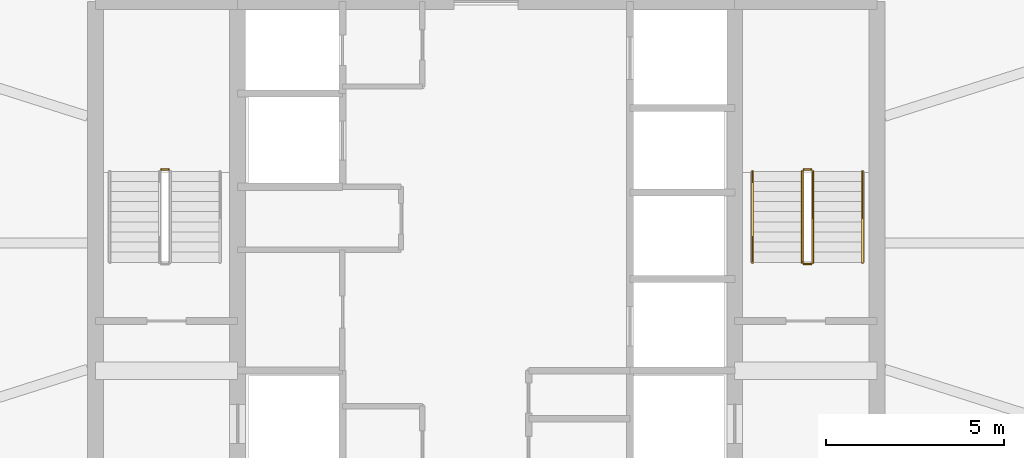
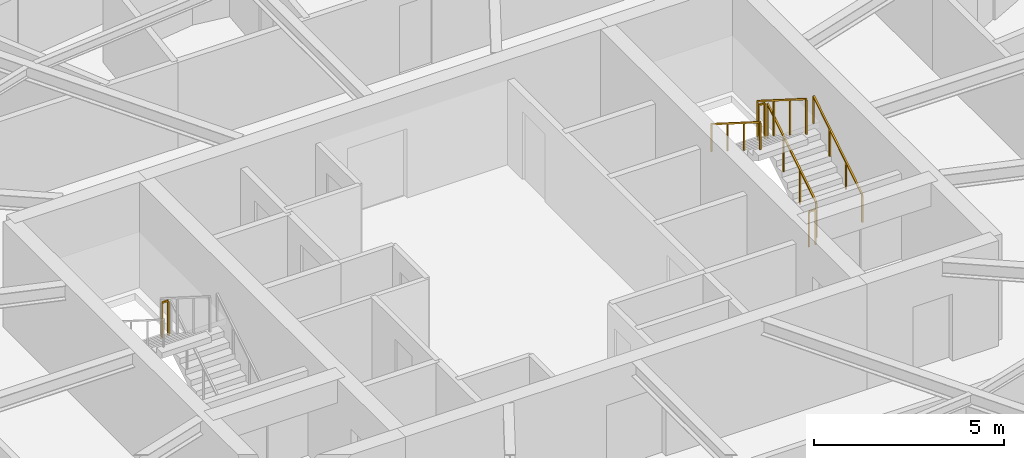
# One storey, part 28 of 28: 7 railings.
"""IFC4 building model written with IfcOpenShell, lengths in metres."""

import ifcopenshell
import ifcopenshell.guid

model = None  # the IFC model being written
_history = None  # IfcOwnerHistory: only IFC2X3 demands one
_inside = {}  # id of a spatial element -> (the spatial element, [elements in it])
_under = {}  # id of a project, library or spatial element -> (it, [spatial elements below it])
_declared = {}  # id of a project -> (the project, [libraries it declares])
_typed = {}  # id of a type object -> (the type object, [elements of that type])
_made_of = {}  # id of a material, layer set ... -> (it, [elements and type objects made of it])


def new_model(schema):
    """Start an empty IFC model of exactly this schema.

    Asked for "IFC4X3", IfcOpenShell would pick the latest addendum, in which some entities
    have other attributes; the version numbers below select the first issue.
    IFC2X3 requires an IfcOwnerHistory on every rooted entity: one is made here for all.
    """
    global model, _history
    if schema == "IFC4X3":
        model = ifcopenshell.file(schema_version=(4, 3, 0, 0))
    else:
        model = ifcopenshell.file(schema=schema)
    _inside.clear()
    _under.clear()
    _declared.clear()
    _typed.clear()
    _made_of.clear()
    _history = None
    if model.schema == "IFC2X3":
        org = make("IfcOrganization", Name="unknown")
        user = make(
            "IfcPersonAndOrganization",
            ThePerson=make("IfcPerson", FamilyName="unknown"),
            TheOrganization=org,
        )
        app = make(
            "IfcApplication",
            ApplicationDeveloper=org,
            Version="unknown",
            ApplicationFullName="unknown",
            ApplicationIdentifier="unknown",
        )
        _history = make(
            "IfcOwnerHistory",
            OwningUser=user,
            OwningApplication=app,
            ChangeAction="ADDED",
            CreationDate=0,
        )
    return model


def make(cls, **values):
    """One entity of the class cls with the attributes given. An attribute that is None is left unset."""
    return model.create_entity(
        cls, **{name: value for name, value in values.items() if value is not None}
    )


def rooted(cls, **values):
    """An entity with a GlobalId (a new one), such as an element, a storey or a relation."""
    return make(cls, GlobalId=ifcopenshell.guid.new(), OwnerHistory=_history, **values)


def si_unit(unit_type, name, prefix=None):
    """IfcSIUnit, for example si_unit("LENGTHUNIT", "METRE", prefix="MILLI")."""
    return make("IfcSIUnit", UnitType=unit_type, Prefix=prefix, Name=name)


def assignment(units):
    """IfcUnitAssignment: the units of a project."""
    return None if units is None else make("IfcUnitAssignment", Units=units)


def point(xyz):
    """IfcCartesianPoint."""
    return None if xyz is None else make("IfcCartesianPoint", Coordinates=xyz)


def direction(xyz):
    """IfcDirection."""
    return None if xyz is None else make("IfcDirection", DirectionRatios=xyz)


def frame(location, z_axis=None, x_axis=None):
    """IfcAxis2Placement3D, a coordinate frame: its origin and axes. An axis left out is left unset."""
    return make(
        "IfcAxis2Placement3D",
        Location=point(location),
        Axis=direction(z_axis),
        RefDirection=direction(x_axis),
    )


def frame_2d(location, x_axis=None):
    """IfcAxis2Placement2D, a coordinate frame in the plane: its origin and x axis."""
    return make(
        "IfcAxis2Placement2D", Location=point(location), RefDirection=direction(x_axis)
    )


def origin():
    """The frame at (0, 0, 0) with its axes left unset."""
    return frame((0.0, 0.0, 0.0))


def origin_2d():
    """The frame at (0, 0) in the plane with its x axis left unset."""
    return frame_2d((0.0, 0.0))


def place(relative_to, where):
    """IfcLocalPlacement: puts the frame where relative to a parent placement (None: the world)."""
    return make(
        "IfcLocalPlacement", PlacementRelTo=relative_to, RelativePlacement=where
    )


def context(
    kind, dimensions, precision=None, world=None, true_north=None, identifier=None
):
    """IfcGeometricRepresentationContext, for example the 3D "Model" context."""
    return make(
        "IfcGeometricRepresentationContext",
        ContextIdentifier=identifier,
        ContextType=kind,
        CoordinateSpaceDimension=dimensions,
        Precision=precision,
        WorldCoordinateSystem=world,
        TrueNorth=true_north,
    )


def subcontext(parent, identifier, kind, view, scale=None):
    """IfcGeometricRepresentationSubContext, for example "Body" below "Model"."""
    return make(
        "IfcGeometricRepresentationSubContext",
        ContextIdentifier=identifier,
        ContextType=kind,
        ParentContext=parent,
        TargetScale=scale,
        TargetView=view,
    )


def project(units=None, contexts=None):
    """IfcProject with its units and contexts."""
    return rooted(
        "IfcProject",
        Name="project",
        RepresentationContexts=contexts,
        UnitsInContext=assignment(units),
    )


def spatial(cls, under=None, at=None, **own):
    """A site, building, storey or space (cls), placed at a placement, below another one or the project."""
    s = rooted(cls, ObjectPlacement=at, **own)
    if under is not None:
        _under.setdefault(under.id(), (under, []))[1].append(s)
    return s


def profile(cls, at=None, kind="AREA", **sizes):
    """A parametric profile (cls). Its sizes go by their IFC names, for example OverallWidth=200.0."""
    return make(cls, ProfileType=kind, Position=at, **sizes)


def rectangle(**sizes):
    """IfcRectangleProfileDef."""
    return profile("IfcRectangleProfileDef", **sizes)


def extrude(swept, where, along, depth):
    """IfcExtrudedAreaSolid: the profile swept, set in the frame where, extruded along a direction by depth."""
    return make(
        "IfcExtrudedAreaSolid",
        SweptArea=swept,
        Position=where,
        ExtrudedDirection=direction(along),
        Depth=depth,
    )


def shape(context_of_items, identifier, shape_type, items):
    """IfcShapeRepresentation: the items that make up one representation, for example the "Body"."""
    return make(
        "IfcShapeRepresentation",
        ContextOfItems=context_of_items,
        RepresentationIdentifier=identifier,
        RepresentationType=shape_type,
        Items=items,
    )


def material(Name=None, Category=None):
    """IfcMaterial."""
    return make("IfcMaterial", Name=Name, Category=Category)


def made_of(thing, what):
    """Note that an element or type object is made of a material, layer set ...; save() writes the relation."""
    if what is not None:
        _made_of.setdefault(what.id(), (what, []))[1].append(thing)
    return thing


def type_object(cls, material=None, **own):
    """A type object (cls), such as IfcWallType, which elements share."""
    return made_of(rooted(cls, **own), material)


def element(
    cls,
    number,
    at=None,
    inside=None,
    cuts=None,
    type_object=None,
    material=None,
    context=None,
    identifier="Body",
    shape_type=None,
    held_by="IfcProductDefinitionShape",
    body=None,
    shapes=None,
    **own,
):
    """One element of the class cls, such as IfcWall. Its Tag is "e" and its number.

    at: its placement. inside: the storey or other place that contains it. cuts: it is an
    opening in that element (IfcRelVoidsElement). A single representation is given by context,
    identifier, shape_type and body (its items); several are given by shapes. held_by: the class
    of the entity that holds the representations. save() writes the other relations.
    """
    e = rooted(cls, Tag="e%d" % number, ObjectPlacement=at, **own)
    if body is not None:
        shapes = [shape(context, identifier, shape_type, body)]
    if shapes is not None:
        e.Representation = make(held_by, Representations=shapes)
    if inside is not None:
        _inside.setdefault(inside.id(), (inside, []))[1].append(e)
    if cuts is not None:
        rooted(
            "IfcRelVoidsElement", RelatingBuildingElement=cuts, RelatedOpeningElement=e
        )
    if type_object is not None:
        _typed.setdefault(type_object.id(), (type_object, []))[1].append(e)
    return made_of(e, material)


def aggregate(whole, parts):
    """IfcRelAggregates: a whole, such as a stair, and the parts it consists of."""
    return rooted("IfcRelAggregates", RelatingObject=whole, RelatedObjects=parts)


def save(model, path):
    """Write the relations noted so far, then the file.

    IfcRelAggregates (storeys below a building ...), IfcRelContainedInSpatialStructure (elements
    in a storey), IfcRelDefinesByType, IfcRelAssociatesMaterial and IfcRelDeclares: one each for
    every whole, place, type object, material and project.
    """
    for whole, parts in _under.values():
        aggregate(whole, parts)
    for where, things in _inside.values():
        rooted(
            "IfcRelContainedInSpatialStructure",
            RelatedElements=things,
            RelatingStructure=where,
        )
    for kind, things in _typed.values():
        rooted("IfcRelDefinesByType", RelatedObjects=things, RelatingType=kind)
    for what, things in _made_of.values():
        rooted("IfcRelAssociatesMaterial", RelatedObjects=things, RelatingMaterial=what)
    for by, libraries in _declared.values():
        rooted("IfcRelDeclares", RelatingContext=by, RelatedDefinitions=libraries)
    model.write(path)


model = new_model("IFC4")

# Units and contexts
model_context = context("Model", 3, precision=1e-05, world=origin(), true_north=direction((0.0, 1.0)))
body_context = subcontext(model_context, "Body", "Model", "MODEL_VIEW")
ifc_project = project(units=[si_unit("LENGTHUNIT", "METRE"), si_unit("AREAUNIT", "SQUARE_METRE"), si_unit("VOLUMEUNIT", "CUBIC_METRE"), si_unit("PLANEANGLEUNIT", "RADIAN"), si_unit("MASSUNIT", "GRAM", prefix="KILO")], contexts=[model_context])

# Site, building, storey
site_placement = place(None, origin())
site = spatial("IfcSite", under=ifc_project, at=site_placement, CompositionType="ELEMENT")
building_placement = place(site_placement, origin())
building = spatial("IfcBuilding", under=site, at=building_placement, Name="Sarneth Arch Tower", CompositionType="ELEMENT")
storey_placement = place(building_placement, frame((0.0, 0.0, 190.199951171875)))
storey = spatial("IfcBuildingStorey", under=building, at=storey_placement, Name="L48", CompositionType="ELEMENT", Elevation=190.199951171875)

# Railings
ifc_material_1 = material(Name="Brushed Stainless Steel 304 tubular handrail", Category="steel")
railing_type_1 = type_object("IfcRailingType", Name="RAIL-HANDRAIL-900", PredefinedType="HANDRAIL", material=ifc_material_1)
railing_1_placement = place(storey_placement, frame((58.60009765625, 41.449951171875, 0.179931640625)))
element("IfcRailing", 1, at=railing_1_placement, inside=storey, type_object=railing_type_1, Name="L48 ST-2 stair handrail 1", PredefinedType="HANDRAIL", context=body_context, shape_type="SweptSolid", body=[
    extrude(rectangle(XDim=0.048095703125, YDim=0.048095703125, at=origin_2d()), frame((0.0, 0.0, 0.8759765625), z_axis=(0.0, 0.845465955043, 0.534029323973), x_axis=(-1.0, 0.0, 0.0)), (0.0, 0.0, 1.0), 3.03369140625),
    extrude(rectangle(XDim=0.0419921875, YDim=0.0419921875, at=origin_2d()), origin(), (0.0, 0.0, 1.0), 0.851806640625),
    extrude(rectangle(XDim=0.0419921875, YDim=0.0419921875, at=origin_2d()), frame((0.0, 0.85498046875, 0.5400390625)), (0.0, 0.0, 1.0), 0.851806640625),
    extrude(rectangle(XDim=0.0419921875, YDim=0.0419921875, at=origin_2d()), frame((0.0, 1.7099609375, 1.080078125)), (0.0, 0.0, 1.0), 0.851806640625),
    extrude(rectangle(XDim=0.0419921875, YDim=0.0419921875, at=origin_2d()), frame((0.0, 2.56494140625, 1.6201171875)), (0.0, 0.0, 1.0), 0.851806640625),
])
railing_2_placement = place(storey_placement, frame((55.5, 44.014892578125, 1.97998046875)))
element("IfcRailing", 2, at=railing_2_placement, inside=storey, type_object=railing_type_1, Name="L48 ST-2 stair handrail 2", PredefinedType="HANDRAIL", context=body_context, shape_type="SweptSolid", body=[
    extrude(rectangle(XDim=0.048095703125, YDim=0.048095703125, at=origin_2d()), frame((0.0, 0.0, 0.8759765625), z_axis=(0.0, -0.845465955043, 0.534029323973), x_axis=(1.0, 0.0, 0.0)), (0.0, 0.0, 1.0), 3.03369140625),
    extrude(rectangle(XDim=0.0419921875, YDim=0.0419921875, at=origin_2d()), origin(), (0.0, 0.0, 1.0), 0.851806640625),
    extrude(rectangle(XDim=0.0419921875, YDim=0.0419921875, at=origin_2d()), frame((0.0, -0.85498046875, 0.5400390625)), (0.0, 0.0, 1.0), 0.851806640625),
    extrude(rectangle(XDim=0.0419921875, YDim=0.0419921875, at=origin_2d()), frame((0.0, -1.7099609375, 1.080078125)), (0.0, 0.0, 1.0), 0.851806640625),
    extrude(rectangle(XDim=0.0419921875, YDim=0.0419921875, at=origin_2d()), frame((0.0, -2.56494140625, 1.6201171875)), (0.0, 0.0, 1.0), 0.851806640625),
])
ifc_material_2 = material(Name="Painted Steel S275 stair well guard", Category="steel")
railing_type_2 = type_object("IfcRailingType", Name="RAIL-STAIR-GUARD", PredefinedType="GUARDRAIL", material=ifc_material_2)
railing_3_placement = place(storey_placement, frame((39.050048828125, 44.06494140625, 1.800048828125)))
element("IfcRailing", 3, at=railing_3_placement, inside=storey, type_object=railing_type_2, Name="L48 ST-1 stair guard 2", PredefinedType="GUARDRAIL", context=body_context, shape_type="SweptSolid", body=[
    extrude(rectangle(XDim=0.048095703125, YDim=0.048095703125, at=origin_2d()), frame((0.0, 0.0, 1.1259765625), z_axis=(-1.0, 0.0, 0.0), x_axis=(0.0, -1.0, 0.0)), (0.0, 0.0, 1.0), 0.199951171875),
    extrude(rectangle(XDim=0.0419921875, YDim=0.0419921875, at=origin_2d()), origin(), (0.0, 0.0, 1.0), 1.101806640625),
    extrude(rectangle(XDim=0.0419921875, YDim=0.0419921875, at=origin_2d()), frame((-0.199951171875, 0.0, 0.0)), (0.0, 0.0, 1.0), 1.101806640625),
])
railing_4_placement = place(storey_placement, frame((57.199951171875, 41.449951171875, 0.179931640625)))
element("IfcRailing", 4, at=railing_4_placement, inside=storey, type_object=railing_type_2, Name="L48 ST-2 stair guard 1", PredefinedType="GUARDRAIL", context=body_context, shape_type="SweptSolid", body=[
    extrude(rectangle(XDim=0.048095703125, YDim=0.048095703125, at=origin_2d()), frame((0.0, 0.0, 1.1259765625), z_axis=(0.0, 0.845465955043, 0.534029323973), x_axis=(-1.0, 0.0, 0.0)), (0.0, 0.0, 1.0), 3.03369140625),
    extrude(rectangle(XDim=0.0419921875, YDim=0.0419921875, at=origin_2d()), origin(), (0.0, 0.0, 1.0), 1.101806640625),
    extrude(rectangle(XDim=0.0419921875, YDim=0.0419921875, at=origin_2d()), frame((0.0, 0.85498046875, 0.5400390625)), (0.0, 0.0, 1.0), 1.101806640625),
    extrude(rectangle(XDim=0.0419921875, YDim=0.0419921875, at=origin_2d()), frame((0.0, 1.7099609375, 1.080078125)), (0.0, 0.0, 1.0), 1.101806640625),
    extrude(rectangle(XDim=0.0419921875, YDim=0.0419921875, at=origin_2d()), frame((0.0, 2.56494140625, 1.6201171875)), (0.0, 0.0, 1.0), 1.101806640625),
])
railing_5_placement = place(storey_placement, frame((57.14990234375, 44.06494140625, 1.800048828125)))
element("IfcRailing", 5, at=railing_5_placement, inside=storey, type_object=railing_type_2, Name="L48 ST-2 stair guard 2", PredefinedType="GUARDRAIL", context=body_context, shape_type="SweptSolid", body=[
    extrude(rectangle(XDim=0.048095703125, YDim=0.048095703125, at=origin_2d()), frame((0.0, 0.0, 1.1259765625), z_axis=(-1.0, 0.0, 0.0), x_axis=(0.0, -1.0, 0.0)), (0.0, 0.0, 1.0), 0.199951171875),
    extrude(rectangle(XDim=0.0419921875, YDim=0.0419921875, at=origin_2d()), origin(), (0.0, 0.0, 1.0), 1.101806640625),
    extrude(rectangle(XDim=0.0419921875, YDim=0.0419921875, at=origin_2d()), frame((-0.199951171875, 0.0, 0.0)), (0.0, 0.0, 1.0), 1.101806640625),
])
railing_6_placement = place(storey_placement, frame((56.89990234375, 44.014892578125, 1.97998046875)))
element("IfcRailing", 6, at=railing_6_placement, inside=storey, type_object=railing_type_2, Name="L48 ST-2 stair guard 3", PredefinedType="GUARDRAIL", context=body_context, shape_type="SweptSolid", body=[
    extrude(rectangle(XDim=0.048095703125, YDim=0.048095703125, at=origin_2d()), frame((0.0, 0.0, 1.1259765625), z_axis=(0.0, -0.845465955043, 0.534029323973), x_axis=(1.0, 0.0, 0.0)), (0.0, 0.0, 1.0), 3.03369140625),
    extrude(rectangle(XDim=0.0419921875, YDim=0.0419921875, at=origin_2d()), origin(), (0.0, 0.0, 1.0), 1.101806640625),
    extrude(rectangle(XDim=0.0419921875, YDim=0.0419921875, at=origin_2d()), frame((0.0, -0.85498046875, 0.5400390625)), (0.0, 0.0, 1.0), 1.101806640625),
    extrude(rectangle(XDim=0.0419921875, YDim=0.0419921875, at=origin_2d()), frame((0.0, -1.7099609375, 1.080078125)), (0.0, 0.0, 1.0), 1.101806640625),
    extrude(rectangle(XDim=0.0419921875, YDim=0.0419921875, at=origin_2d()), frame((0.0, -2.56494140625, 1.6201171875)), (0.0, 0.0, 1.0), 1.101806640625),
])
railing_7_placement = place(storey_placement, frame((57.14990234375, 41.39990234375, 0.0)))
element("IfcRailing", 7, at=railing_7_placement, inside=storey, type_object=railing_type_2, Name="L48 ST-2 stair guard 4", PredefinedType="GUARDRAIL", context=body_context, shape_type="SweptSolid", body=[
    extrude(rectangle(XDim=0.048095703125, YDim=0.048095703125, at=origin_2d()), frame((0.0, 0.0, 1.1259765625), z_axis=(-1.0, 0.0, 0.0), x_axis=(0.0, -1.0, 0.0)), (0.0, 0.0, 1.0), 0.199951171875),
    extrude(rectangle(XDim=0.0419921875, YDim=0.0419921875, at=origin_2d()), origin(), (0.0, 0.0, 1.0), 1.101806640625),
    extrude(rectangle(XDim=0.0419921875, YDim=0.0419921875, at=origin_2d()), frame((-0.199951171875, 0.0, 0.0)), (0.0, 0.0, 1.0), 1.101806640625),
])

save(model, "model.ifc")
